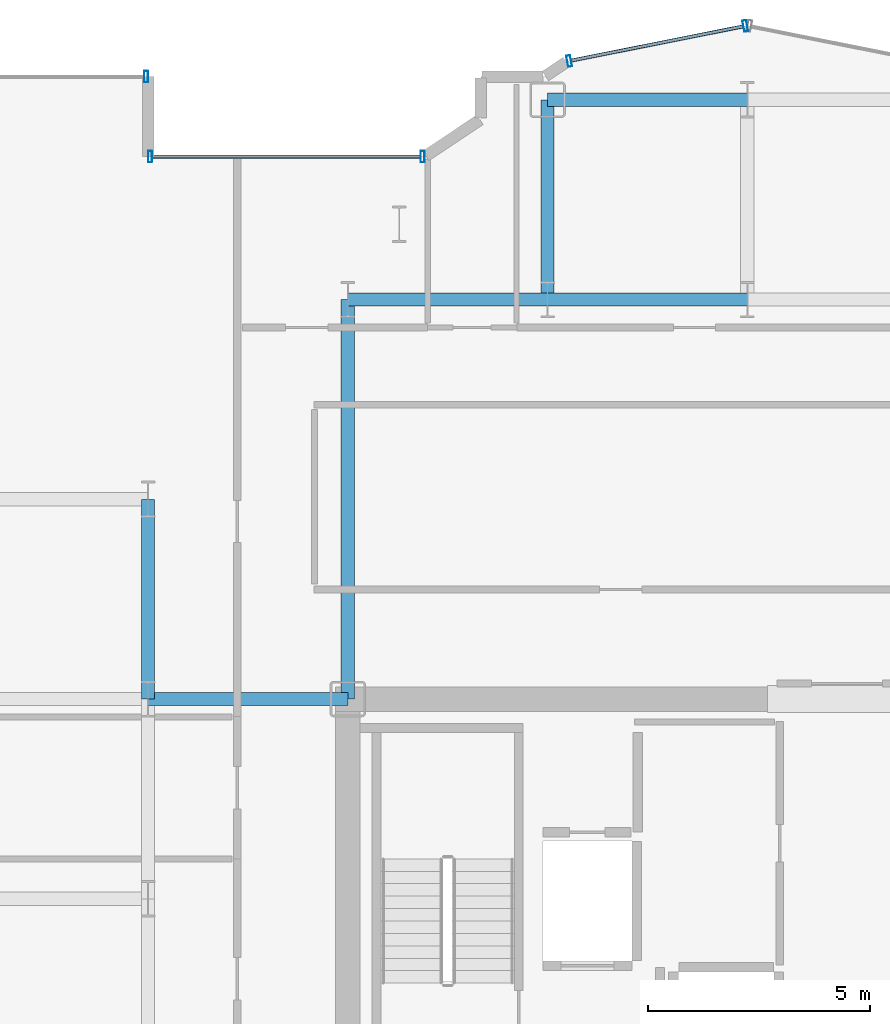
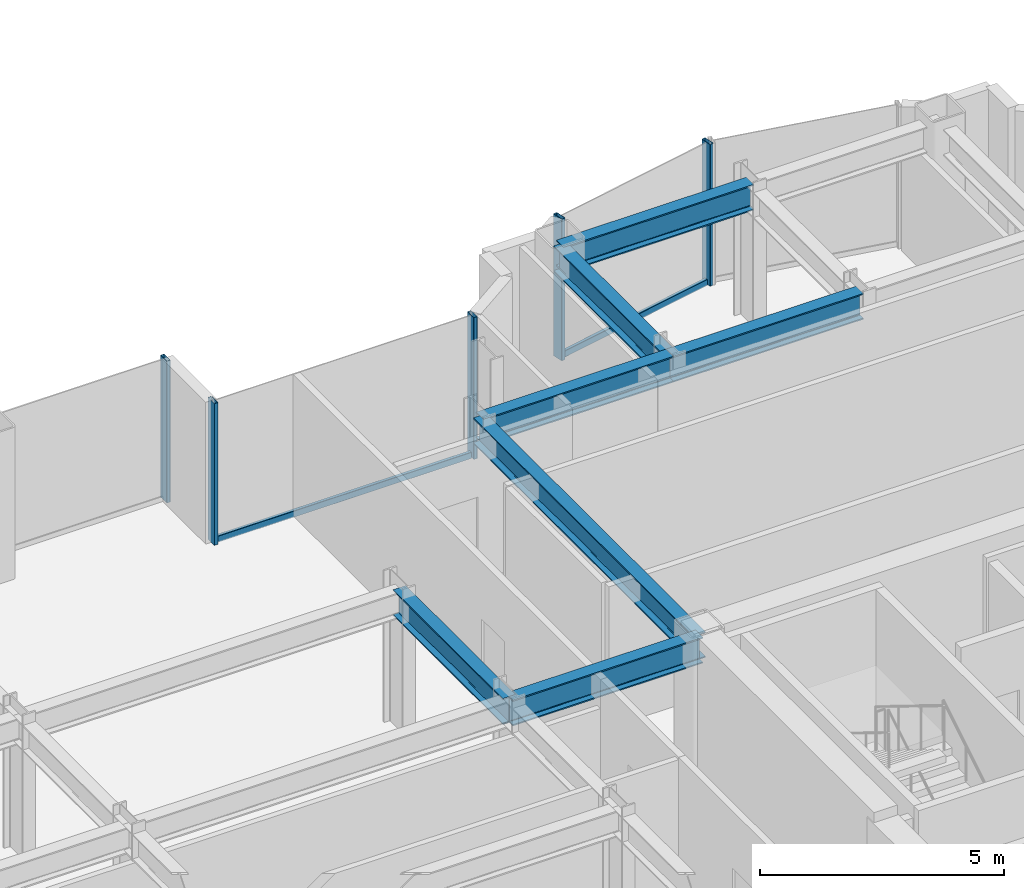
# One storey, part 11 of 23: 7 beams, 7 members, 3 elements without a shape of their own.
"""IFC4 building model written with IfcOpenShell, lengths in metres."""

from ifc_helpers import new_model, si_unit, direction, frame, origin, origin_2d, place, context, subcontext, project, spatial, hollow_rectangle, i_section, extrude, source, transform, mapped, material, layer, layer_set, material_profile, profile_set, type_object, element, aggregate, save


model = new_model("IFC4")

# Units and contexts
model_context = context("Model", 3, precision=1e-05, world=origin(), true_north=direction((0.0, 1.0)))
body_context = subcontext(model_context, "Body", "Model", "MODEL_VIEW")
ifc_project = project(units=[si_unit("LENGTHUNIT", "METRE"), si_unit("AREAUNIT", "SQUARE_METRE"), si_unit("VOLUMEUNIT", "CUBIC_METRE"), si_unit("PLANEANGLEUNIT", "RADIAN"), si_unit("MASSUNIT", "GRAM", prefix="KILO")], contexts=[model_context])

# Site, building, storey
site_placement = place(None, origin())
site = spatial("IfcSite", under=ifc_project, at=site_placement, CompositionType="ELEMENT")
building_placement = place(site_placement, origin())
building = spatial("IfcBuilding", under=site, at=building_placement, Name="Nefas-Gora Pilgrimage Tower", CompositionType="ELEMENT")
storey_placement = place(building_placement, frame((0.0, 0.0, 190.60009765625)))
storey = spatial("IfcBuildingStorey", under=building, at=storey_placement, Name="L47", CompositionType="ELEMENT", Elevation=190.60009765625)

# Beams
ifc_material_1 = material(Name="Steel S355", Category="steel")
ifc_material_profile_1 = material_profile(ifc_material_1, i_section(OverallWidth=0.300048828125, OverallDepth=0.64990234375, WebThickness=0.01611328125, FlangeThickness=0.031005859375, FilletRadius=0.027099609375, at=origin_2d()), Name="HEB 650")
ifc_profile_set_1 = profile_set([ifc_material_profile_1], Name="Steel S355")
beam_type = type_object("IfcBeamType", Name="BM-GIR-HEB650", PredefinedType="BEAM", material=ifc_profile_set_1)
shared_shape_1 = source(origin(), body_context, "Body", "SweptSolid", [
    extrude(i_section(OverallWidth=0.300048828125, OverallDepth=0.64990234375, WebThickness=0.01611328125, FlangeThickness=0.031005859375, FilletRadius=0.027099609375, at=origin_2d()), origin(), (0.0, 0.0, 1.0), 9.0),
])
beam_placement = place(storey_placement, frame((-11.25, 9.0, 3.224853515625), z_axis=(0.0, 1.0, 0.0), x_axis=(-1.0, 0.0, 0.0)))
element("IfcBeam", 1, at=beam_placement, inside=storey, type_object=beam_type, Name="L47 G-03 beam", PredefinedType="BEAM", context=body_context, shape_type="MappedRepresentation", body=[
    mapped(shared_shape_1, transform((0.0, 0.0, 0.0), x_axis=(1.0, 0.0, 0.0), y_axis=(0.0, 1.0, 0.0), z_axis=(0.0, 0.0, 1.0), scale=1.0)),
])
shared_shape_2 = source(origin(), body_context, "Body", "SweptSolid", [
    extrude(i_section(OverallWidth=0.300048828125, OverallDepth=0.64990234375, WebThickness=0.01611328125, FlangeThickness=0.031005859375, FilletRadius=0.027099609375, at=origin_2d()), origin(), (0.0, 0.0, 1.0), 4.5),
])
for number, where, z_axis, x_axis, name in (
    (2, (-15.75, 9.0, 3.224853515625), (0.0, 1.0, 0.0), (-1.0, 0.0, 0.0), "L47 G-03 beam"),
    (3, (-15.75, 9.0, 3.224853515625), (1.0, 0.0, 0.0), (0.0, 1.0, 0.0), "L47 G-03 beam"),
    (4, (-11.25, 18.0, 3.224853515625), (1.0, 0.0, 0.0), (0.0, 1.0, 0.0), "L47 G-03 beam"),
    (5, (-6.75, 18.0, 3.224853515625), (0.0, 1.0, 0.0), (-1.0, 0.0, 0.0), "L47 G-03 beam"),
    (6, (-6.75, 18.0, 3.224853515625), (1.0, 0.0, 0.0), (0.0, 1.0, 0.0), "L47 G-03 beam"),
    (7, (-6.75, 22.5, 3.224853515625), (1.0, 0.0, 0.0), (0.0, 1.0, 0.0), "L47 G-03 beam"),
):
    element("IfcBeam", number, at=place(storey_placement, frame(where, z_axis=z_axis, x_axis=x_axis)), inside=storey, type_object=beam_type, Name=name, PredefinedType="BEAM", context=body_context, shape_type="MappedRepresentation", body=[
        mapped(shared_shape_2, transform((0.0, 0.0, 0.0), x_axis=(1.0, 0.0, 0.0), y_axis=(0.0, 1.0, 0.0), z_axis=(0.0, 0.0, 1.0), scale=1.0)),
    ])

# Curtain wall, member
ifc_material_2 = material(Name="Dark ceramic-fritted solar-control aluminium-glass curtain wall", Category="aluminium")
ifc_layer_1 = layer(ifc_material_2, 0.219970703125)
ifc_layer_set_1 = layer_set([ifc_layer_1], Name="Dark ceramic-fritted solar-control aluminium-glass curtain wall")
curtain_wall_type_1 = type_object("IfcCurtainWallType", Name="CW-SYS-5", PredefinedType="NOTDEFINED", material=ifc_layer_set_1)
curtain_wall_1_placement = place(storey_placement, origin())
curtain_wall_1 = element("IfcCurtainWall", 8, at=curtain_wall_1_placement, inside=storey, type_object=curtain_wall_type_1, Name="L47 Unitised Curtain Wall CW5", PredefinedType="NOTDEFINED")
ifc_material_3 = material(Name="Anodised architectural aluminium", Category="aluminium")
ifc_material_profile_2 = material_profile(ifc_material_3, hollow_rectangle(XDim=0.080078125, YDim=0.159912109375, WallThickness=0.00439453125, InnerFilletRadius=0.00439453125, OuterFilletRadius=0.009033203125, at=origin_2d()), Name="ALU TRANSOM 80x160")
ifc_profile_set_2 = profile_set([ifc_material_profile_2], Name="Anodised architectural aluminium")
member_type_1 = type_object("IfcMemberType", Name="CWM-TRN-5", PredefinedType="USERDEFINED", material=ifc_profile_set_2)
shared_shape_3 = source(origin(), body_context, "Body", "SweptSolid", [
    extrude(hollow_rectangle(XDim=0.080078125, YDim=0.159912109375, WallThickness=0.00439453125, InnerFilletRadius=0.00439453125, OuterFilletRadius=0.009033203125, at=origin_2d()), origin(), (0.0, 0.0, 1.0), 6.052001953125),
])
member_1_placement = place(storey_placement, frame((-9.60791015625, 21.219970703125, 0.0498046875), z_axis=(-1.0, 0.0, 0.0), x_axis=(0.0, -1.0, 0.0)))
member_1 = element("IfcMember", 9, at=member_1_placement, type_object=member_type_1, Name="CW5 Spandrel Transom", ObjectType="TRANSOM", PredefinedType="USERDEFINED", context=body_context, shape_type="MappedRepresentation", body=[
    mapped(shared_shape_3, transform((0.0, 0.0, 0.0), x_axis=(1.0, 0.0, 0.0), y_axis=(0.0, 1.0, 0.0), z_axis=(0.0, 0.0, 1.0), scale=1.0)),
])

# Curtain wall, members
curtain_wall_2_placement = place(storey_placement, origin())
curtain_wall_2 = element("IfcCurtainWall", 10, at=curtain_wall_2_placement, inside=storey, type_object=curtain_wall_type_1, Name="L47 Unitised Curtain Wall CW5", PredefinedType="NOTDEFINED")
shared_shape_4 = source(origin(), body_context, "Body", "SweptSolid", [
    extrude(hollow_rectangle(XDim=0.080078125, YDim=0.159912109375, WallThickness=0.00439453125, InnerFilletRadius=0.00439453125, OuterFilletRadius=0.009033203125, at=origin_2d()), origin(), (0.0, 0.0, 1.0), 3.95654296875),
])
member_2_placement = place(storey_placement, frame((-2.33837890625, 24.15478515625, 0.0498046875), z_axis=(-0.980781880918, -0.195107411605, 0.0), x_axis=(0.195107411605, -0.980781880918, 0.0)))
member_2 = element("IfcMember", 11, at=member_2_placement, type_object=member_type_1, Name="CW5 Spandrel Transom", ObjectType="TRANSOM", PredefinedType="USERDEFINED", context=body_context, shape_type="MappedRepresentation", body=[
    mapped(shared_shape_4, transform((0.0, 0.0, 0.0), x_axis=(1.0, 0.0, 0.0), y_axis=(0.0, 1.0, 0.0), z_axis=(0.0, 0.0, 1.0), scale=1.0)),
])
ifc_material_profile_3 = material_profile(ifc_material_3, hollow_rectangle(XDim=0.090087890625, YDim=0.260009765625, WallThickness=0.006103515625, InnerFilletRadius=0.006103515625, OuterFilletRadius=0.011962890625, at=origin_2d()), Name="ALU MULLION 90x260")
ifc_profile_set_3 = profile_set([ifc_material_profile_3], Name="Anodised architectural aluminium")
member_type_2 = type_object("IfcMemberType", Name="CWM-MUL-5", PredefinedType="MULLION", material=ifc_profile_set_3)
shared_shape_5 = source(origin(), body_context, "Body", "SweptSolid", [
    extrude(hollow_rectangle(XDim=0.090087890625, YDim=0.260009765625, WallThickness=0.006103515625, InnerFilletRadius=0.006103515625, OuterFilletRadius=0.011962890625, at=origin_2d()), origin(), (0.0, 0.0, 1.0), 3.5498046875),
])
member_3_placement = place(storey_placement, frame((-2.294189453125, 24.16357421875, 0.0), z_axis=(0.0, 0.0, 1.0), x_axis=(-0.980782896852, -0.195102304554, 0.0)))
member_3 = element("IfcMember", 12, at=member_3_placement, type_object=member_type_2, Name="CW5 Mullion 1", PredefinedType="MULLION", context=body_context, shape_type="MappedRepresentation", body=[
    mapped(shared_shape_5, transform((0.0, 0.0, 0.0), x_axis=(1.0, 0.0, 0.0), y_axis=(0.0, 1.0, 0.0), z_axis=(0.0, 0.0, 1.0), scale=1.0)),
])
member_4_placement = place(storey_placement, frame((-6.26318359375, 23.3740234375, 0.0), z_axis=(0.0, 0.0, 1.0), x_axis=(-0.980782896852, -0.195102304554, 0.0)))
member_4 = element("IfcMember", 13, at=member_4_placement, type_object=member_type_2, Name="CW5 Mullion 2", PredefinedType="MULLION", context=body_context, shape_type="MappedRepresentation", body=[
    mapped(shared_shape_5, transform((0.0, 0.0, 0.0), x_axis=(1.0, 0.0, 0.0), y_axis=(0.0, 1.0, 0.0), z_axis=(0.0, 0.0, 1.0), scale=1.0)),
])
aggregate(curtain_wall_2, [member_3, member_4, member_2])

# Member
member_5_placement = place(storey_placement, frame((-9.56298828125, 21.219970703125, 0.0), z_axis=(0.0, 0.0, 1.0), x_axis=(-1.0, 0.0, 0.0)))
member_5 = element("IfcMember", 14, at=member_5_placement, type_object=member_type_2, Name="CW5 Mullion 1", PredefinedType="MULLION", context=body_context, shape_type="MappedRepresentation", body=[
    mapped(shared_shape_5, transform((0.0, 0.0, 0.0), x_axis=(1.0, 0.0, 0.0), y_axis=(0.0, 1.0, 0.0), z_axis=(0.0, 0.0, 1.0), scale=1.0)),
])

member_6_placement = place(storey_placement, frame((-15.705078125, 21.219970703125, 0.0), z_axis=(0.0, 0.0, 1.0), x_axis=(-1.0, 0.0, 0.0)))
member_6 = element("IfcMember", 15, at=member_6_placement, type_object=member_type_2, Name="CW5 Mullion 2", PredefinedType="MULLION", context=body_context, shape_type="MappedRepresentation", body=[
    mapped(shared_shape_5, transform((0.0, 0.0, 0.0), x_axis=(1.0, 0.0, 0.0), y_axis=(0.0, 1.0, 0.0), z_axis=(0.0, 0.0, 1.0), scale=1.0)),
])

aggregate(curtain_wall_1, [member_5, member_6, member_1])

# Curtain wall, member
ifc_layer_2 = layer(ifc_material_2, 0.219970703125)
ifc_layer_set_2 = layer_set([ifc_layer_2], Name="Dark ceramic-fritted solar-control aluminium-glass curtain wall")
curtain_wall_type_2 = type_object("IfcCurtainWallType", Name="CW-SYS-3", PredefinedType="NOTDEFINED", material=ifc_layer_set_2)
curtain_wall_3_placement = place(storey_placement, origin())
curtain_wall_3 = element("IfcCurtainWall", 16, at=curtain_wall_3_placement, inside=storey, type_object=curtain_wall_type_2, Name="L47 Unitised Curtain Wall CW3", PredefinedType="NOTDEFINED")
ifc_material_profile_4 = material_profile(ifc_material_3, hollow_rectangle(XDim=0.090087890625, YDim=0.260009765625, WallThickness=0.006103515625, InnerFilletRadius=0.006103515625, OuterFilletRadius=0.011962890625, at=origin_2d()), Name="ALU MULLION 90x260")
ifc_profile_set_4 = profile_set([ifc_material_profile_4], Name="Anodised architectural aluminium")
member_type_3 = type_object("IfcMemberType", Name="CWM-MUL-3", PredefinedType="MULLION", material=ifc_profile_set_4)
shared_shape_6 = source(origin(), body_context, "Body", "SweptSolid", [
    extrude(hollow_rectangle(XDim=0.090087890625, YDim=0.260009765625, WallThickness=0.006103515625, InnerFilletRadius=0.006103515625, OuterFilletRadius=0.011962890625, at=origin_2d()), origin(), (0.0, 0.0, 1.0), 3.5498046875),
])
member_7_placement = place(storey_placement, frame((-15.794921875, 23.02001953125, 0.0), z_axis=(0.0, 0.0, 1.0), x_axis=(-1.0, 0.0, 0.0)))
member_7 = element("IfcMember", 17, at=member_7_placement, type_object=member_type_3, Name="CW3 Mullion 1", PredefinedType="MULLION", context=body_context, shape_type="MappedRepresentation", body=[
    mapped(shared_shape_6, transform((0.0, 0.0, 0.0), x_axis=(1.0, 0.0, 0.0), y_axis=(0.0, 1.0, 0.0), z_axis=(0.0, 0.0, 1.0), scale=1.0)),
])
aggregate(curtain_wall_3, [member_7])

save(model, "model.ifc")
